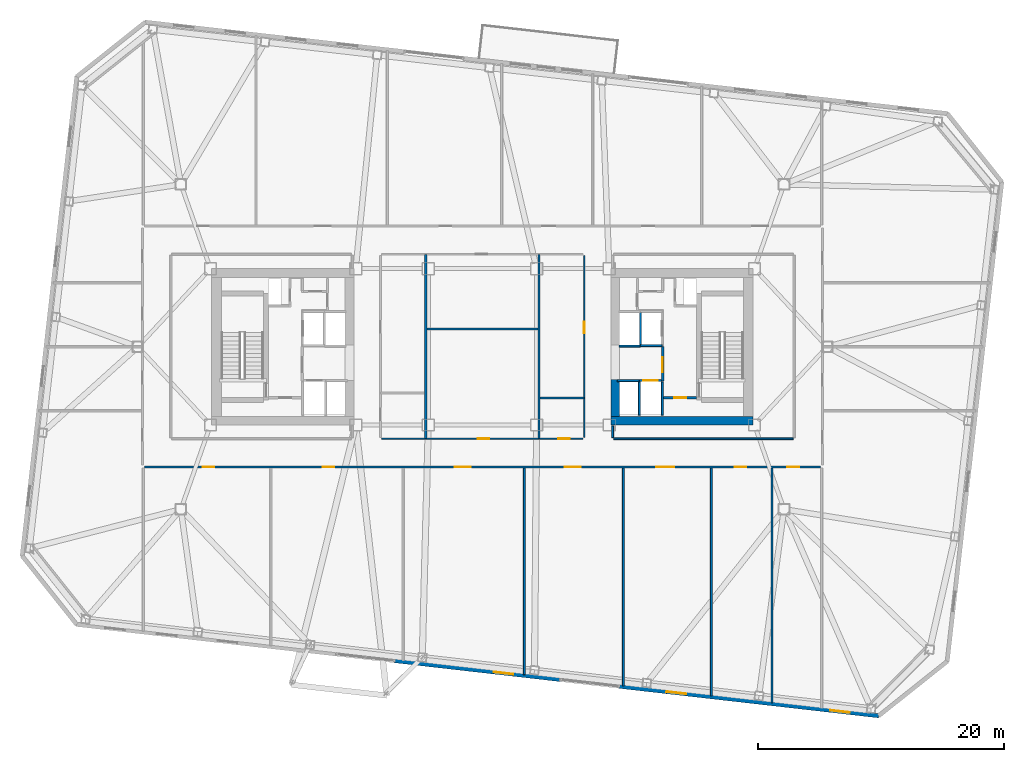
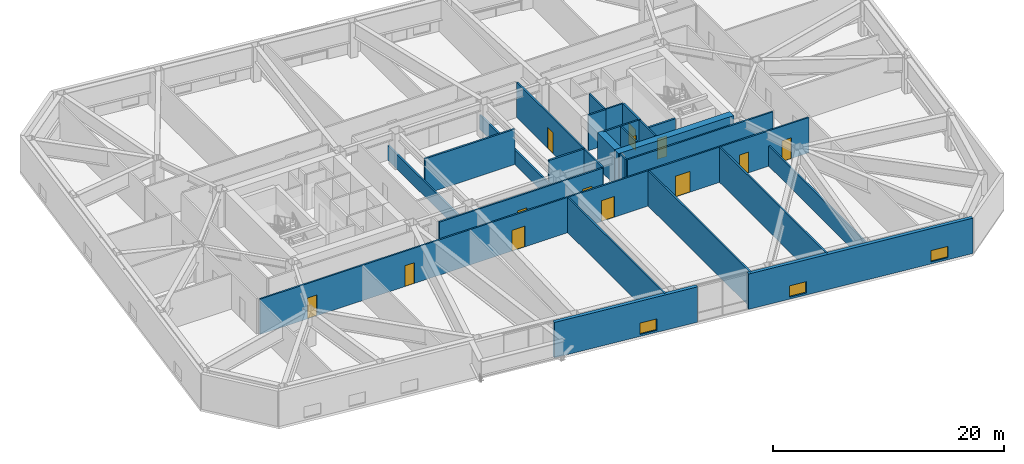
# One storey, part 12 of 21: 26 walls, 13 doors, 3 windows, 16 openings.
"""IFC4 building model written with IfcOpenShell, lengths in metres."""

from ifc_helpers import new_model, si_unit, direction, frame, frame_2d, origin, place, context, subcontext, project, spatial, rectangle, extrude, material, layer, layer_set, type_object, element, fill, save


model = new_model("IFC4")

# Units and contexts
model_context = context("Model", 3, precision=1e-05, world=origin(), true_north=direction((0.0, 1.0)))
body_context = subcontext(model_context, "Body", "Model", "MODEL_VIEW")
ifc_project = project(units=[si_unit("LENGTHUNIT", "METRE"), si_unit("AREAUNIT", "SQUARE_METRE"), si_unit("VOLUMEUNIT", "CUBIC_METRE"), si_unit("PLANEANGLEUNIT", "RADIAN"), si_unit("MASSUNIT", "GRAM", prefix="KILO")], contexts=[model_context])

# Site, building, storey
site_placement = place(None, origin())
site = spatial("IfcSite", under=ifc_project, at=site_placement, CompositionType="ELEMENT")
building_placement = place(site_placement, origin())
building = spatial("IfcBuilding", under=site, at=building_placement, Name="Tavrogorsk Clinical Tower", CompositionType="ELEMENT")
storey_placement = place(building_placement, frame((0.0, 0.0, 89.39990234375)))
storey = spatial("IfcBuildingStorey", under=building, at=storey_placement, Name="L19", CompositionType="ELEMENT", Elevation=89.39990234375)

# Wall, opening, door
ifc_material_1 = material(Name="Concrete B60", Category="concrete")
ifc_layer_1 = layer(ifc_material_1, 0.199951171875)
ifc_layer_set_1 = layer_set([ifc_layer_1], Name="Concrete B60")
wall_type_1 = type_object("IfcWallType", Name="CoreFireWall_200", PredefinedType="SOLIDWALL", material=ifc_layer_set_1)
wall_1_placement = place(storey_placement, frame((14.719970703125, -4.139892578125, 0.0), z_axis=(0.0, 0.0, 1.0), x_axis=(1.0, 0.0, 0.0)))
wall_1 = element("IfcWall", 1, at=wall_1_placement, inside=storey, type_object=wall_type_1, Name="L19 Core East South Core Room Fire Wall", PredefinedType="SOLIDWALL", context=body_context, shape_type="SweptSolid", body=[
    extrude(rectangle(XDim=2.659912109375, YDim=0.199951171875, at=frame_2d((1.330078125, 0.0))), origin(), (0.0, 0.0, 1.0), 3.739990234375),
])
opening_1_placement = place(wall_1_placement, frame((0.8798828125, 0.0, 0.0)))
opening_1 = element("IfcOpeningElement", 2, at=opening_1_placement, cuts=wall_1, Name="Opening ID-02", PredefinedType="OPENING", context=body_context, shape_type="SweptSolid", body=[
    extrude(rectangle(XDim=0.949951171875, YDim=2.199951171875, at=frame_2d((0.47509765625, 1.10009765625))), frame((0.0, 0.10986328125, 0.0), z_axis=(0.0, -1.0, 0.0), x_axis=(1.0, 0.0, 0.0)), (0.0, 0.0, 1.0), 0.219970703125),
])
ifc_material_2 = material(Name="Laminated timber leaf on aluminium frame", Category="wood")
door_type_1 = type_object("IfcDoorType", Name="InteriorDoor_ID02_950", OperationType="NOTDEFINED", PredefinedType="DOOR", material=ifc_material_2)
door_1_placement = place(opening_1_placement, origin())
door_1 = element("IfcDoor", 3, at=door_1_placement, inside=storey, type_object=door_type_1, Name="L19 Core East South Core Room Door", OperationType="SINGLE_SWING_LEFT", OverallHeight=2.199951171875, OverallWidth=0.949951171875, PredefinedType="DOOR", context=body_context, shape_type="SweptSolid", body=[
    extrude(rectangle(XDim=0.949951171875, YDim=2.199951171875, at=frame_2d((0.47509765625, 1.10009765625))), frame((0.0, 0.02490234375, 0.0), z_axis=(0.0, -1.0, 0.0), x_axis=(1.0, 0.0, 0.0)), (0.0, 0.0, 1.0), 0.050048828125),
])
fill(opening_1, door_1)

wall_2_placement = place(storey_placement, frame((14.639892578125, -2.780029296875, 0.0), z_axis=(0.0, 0.0, 1.0), x_axis=(0.0, 1.0, 0.0)))
wall_2 = element("IfcWall", 4, at=wall_2_placement, inside=storey, type_object=wall_type_1, Name="L19 Core East Firefighting Lobby Fire Wall", PredefinedType="SOLIDWALL", context=body_context, shape_type="SweptSolid", body=[
    extrude(rectangle(XDim=2.820068359375, YDim=0.199951171875, at=frame_2d((1.41015625, 0.0))), origin(), (0.0, 0.0, 1.0), 3.739990234375),
])
opening_2_placement = place(wall_2_placement, frame((0.72998046875, 0.0, 0.0)))
opening_2 = element("IfcOpeningElement", 5, at=opening_2_placement, cuts=wall_2, Name="Opening FD-01", PredefinedType="OPENING", context=body_context, shape_type="SweptSolid", body=[
    extrude(rectangle(XDim=1.199951171875, YDim=2.199951171875, at=frame_2d((0.60009765625, 1.10009765625))), frame((0.0, 0.10986328125, 0.0), z_axis=(0.0, -1.0, 0.0), x_axis=(1.0, 0.0, 0.0)), (0.0, 0.0, 1.0), 0.219970703125),
])
ifc_material_3 = material(Name="Galvanised steel fire-rated door assembly", Category="steel")
door_type_2 = type_object("IfcDoorType", Name="FireDoor_FD01_1200", OperationType="NOTDEFINED", PredefinedType="DOOR", material=ifc_material_3)
door_2_placement = place(opening_2_placement, origin())
door_2 = element("IfcDoor", 6, at=door_2_placement, inside=storey, type_object=door_type_2, Name="L19 Core East Firefighting Lobby Entry Door", OperationType="SINGLE_SWING_RIGHT", OverallHeight=2.199951171875, OverallWidth=1.199951171875, PredefinedType="DOOR", context=body_context, shape_type="SweptSolid", body=[
    extrude(rectangle(XDim=1.199951171875, YDim=2.199951171875, at=frame_2d((0.60009765625, 1.10009765625))), frame((0.0, 0.02490234375, 0.0), z_axis=(0.0, -1.0, 0.0), x_axis=(1.0, 0.0, 0.0)), (0.0, 0.0, 1.0), 0.050048828125),
])
fill(opening_2, door_2)

# Wall, openings, doors
ifc_material_4 = material(Name="Lightweight concrete blockwork B15", Category="masonry")
ifc_layer_2 = layer(ifc_material_4, 0.159912109375)
ifc_layer_set_2 = layer_set([ifc_layer_2], Name="Lightweight concrete blockwork B15")
wall_type_2 = type_object("IfcWallType", Name="PartitionWall_160", PredefinedType="PARTITIONING", material=ifc_layer_set_2)
wall_3_placement = place(storey_placement, frame((27.465087890625, -9.780029296875, 0.0), z_axis=(0.0, 0.0, 1.0), x_axis=(-1.0, 0.0, 0.0)))
wall_3 = element("IfcWall", 7, at=wall_3_placement, inside=storey, type_object=wall_type_2, Name="L19 Corridor Partition 04", PredefinedType="PARTITIONING", context=body_context, shape_type="SweptSolid", body=[
    extrude(rectangle(XDim=54.93017578125, YDim=0.159912109375, at=frame_2d((27.465087890625, 0.0))), origin(), (0.0, 0.0, 1.0), 3.739990234375),
])
opening_3_placement = place(wall_3_placement, frame((49.255859375, 0.0, 0.0)))
opening_3 = element("IfcOpeningElement", 8, at=opening_3_placement, cuts=wall_3, Name="Opening ID-02", PredefinedType="OPENING", context=body_context, shape_type="SweptSolid", body=[
    extrude(rectangle(XDim=0.949951171875, YDim=2.199951171875, at=frame_2d((0.47509765625, 1.10009765625))), frame((0.0, 0.08984375, 0.0), z_axis=(0.0, -1.0, 0.0), x_axis=(1.0, 0.0, 0.0)), (0.0, 0.0, 1.0), 0.179931640625),
])
opening_4_placement = place(wall_3_placement, frame((39.5, 0.0, 0.0)))
opening_4 = element("IfcOpeningElement", 9, at=opening_4_placement, cuts=wall_3, Name="Opening ID-02", PredefinedType="OPENING", context=body_context, shape_type="SweptSolid", body=[
    extrude(rectangle(XDim=0.949951171875, YDim=2.199951171875, at=frame_2d((0.47509765625, 1.10009765625))), frame((0.0, 0.08984375, 0.0), z_axis=(0.0, -1.0, 0.0), x_axis=(1.0, 0.0, 0.0)), (0.0, 0.0, 1.0), 0.179931640625),
])
opening_5_placement = place(wall_3_placement, frame((28.425048828125, 0.0, 0.0)))
opening_5 = element("IfcOpeningElement", 10, at=opening_5_placement, cuts=wall_3, Name="Opening ID-01", PredefinedType="OPENING", context=body_context, shape_type="SweptSolid", body=[
    extrude(rectangle(XDim=1.300048828125, YDim=2.199951171875, at=frame_2d((0.64990234375, 1.10009765625))), frame((0.0, 0.08984375, 0.0), z_axis=(0.0, -1.0, 0.0), x_axis=(1.0, 0.0, 0.0)), (0.0, 0.0, 1.0), 0.179931640625),
])
opening_6_placement = place(wall_3_placement, frame((19.47509765625, 0.0, 0.0)))
opening_6 = element("IfcOpeningElement", 11, at=opening_6_placement, cuts=wall_3, Name="Opening ID-01", PredefinedType="OPENING", context=body_context, shape_type="SweptSolid", body=[
    extrude(rectangle(XDim=1.300048828125, YDim=2.199951171875, at=frame_2d((0.64990234375, 1.10009765625))), frame((0.0, 0.08984375, 0.0), z_axis=(0.0, -1.0, 0.0), x_axis=(1.0, 0.0, 0.0)), (0.0, 0.0, 1.0), 0.179931640625),
])
opening_7_placement = place(wall_3_placement, frame((11.875, 0.0, 0.0)))
opening_7 = element("IfcOpeningElement", 12, at=opening_7_placement, cuts=wall_3, Name="Opening ID-05", PredefinedType="OPENING", context=body_context, shape_type="SweptSolid", body=[
    extrude(rectangle(XDim=1.449951171875, YDim=2.199951171875, at=frame_2d((0.72509765625, 1.10009765625))), frame((0.0, 0.08984375, 0.0), z_axis=(0.0, -1.0, 0.0), x_axis=(1.0, 0.0, 0.0)), (0.0, 0.0, 1.0), 0.179931640625),
])
opening_8_placement = place(wall_3_placement, frame((6.012451171875, 0.0, 0.0)))
opening_8 = element("IfcOpeningElement", 13, at=opening_8_placement, cuts=wall_3, Name="Opening ID-02", PredefinedType="OPENING", context=body_context, shape_type="SweptSolid", body=[
    extrude(rectangle(XDim=0.949951171875, YDim=2.199951171875, at=frame_2d((0.47509765625, 1.10009765625))), frame((0.0, 0.08984375, 0.0), z_axis=(0.0, -1.0, 0.0), x_axis=(1.0, 0.0, 0.0)), (0.0, 0.0, 1.0), 0.179931640625),
])
opening_9_placement = place(wall_3_placement, frame((1.731689453125, 0.0, 0.0)))
opening_9 = element("IfcOpeningElement", 14, at=opening_9_placement, cuts=wall_3, Name="Opening ID-02", PredefinedType="OPENING", context=body_context, shape_type="SweptSolid", body=[
    extrude(rectangle(XDim=0.949951171875, YDim=2.199951171875, at=frame_2d((0.47509765625, 1.10009765625))), frame((0.0, 0.08984375, 0.0), z_axis=(0.0, -1.0, 0.0), x_axis=(1.0, 0.0, 0.0)), (0.0, 0.0, 1.0), 0.179931640625),
])
ifc_material_5 = material(Name="Antibacterial HPL bariatric ward double door")
door_type_3 = type_object("IfcDoorType", Name="DoubleWardDoor_ID05_1450", OperationType="DOUBLE_SWING_LEFT", PredefinedType="DOOR", material=ifc_material_5)
door_3_placement = place(opening_7_placement, origin())
door_3 = element("IfcDoor", 15, at=door_3_placement, inside=storey, type_object=door_type_3, Name="L19 South Surgical Step-Down Ward 03B Door", OperationType="DOUBLE_SWING_LEFT", OverallHeight=2.199951171875, OverallWidth=1.449951171875, PredefinedType="DOOR", context=body_context, shape_type="SweptSolid", body=[
    extrude(rectangle(XDim=1.449951171875, YDim=2.199951171875, at=frame_2d((0.72509765625, 1.10009765625))), frame((0.0, 0.02490234375, 0.0), z_axis=(0.0, -1.0, 0.0), x_axis=(1.0, 0.0, 0.0)), (0.0, 0.0, 1.0), 0.050048828125),
])
fill(opening_7, door_3)
door_4_placement = place(opening_3_placement, origin())
door_4 = element("IfcDoor", 16, at=door_4_placement, inside=storey, type_object=door_type_1, Name="L19 South Cardiology Diagnostics Room 01 Door", OperationType="SINGLE_SWING_LEFT", OverallHeight=2.199951171875, OverallWidth=0.949951171875, PredefinedType="DOOR", context=body_context, shape_type="SweptSolid", body=[
    extrude(rectangle(XDim=0.949951171875, YDim=2.199951171875, at=frame_2d((0.47509765625, 1.10009765625))), frame((0.0, 0.02490234375, 0.0), z_axis=(0.0, -1.0, 0.0), x_axis=(1.0, 0.0, 0.0)), (0.0, 0.0, 1.0), 0.050048828125),
])
fill(opening_3, door_4)
door_5_placement = place(opening_4_placement, origin())
door_5 = element("IfcDoor", 17, at=door_5_placement, inside=storey, type_object=door_type_1, Name="L19 South Attending Physician Office 02A Door", OperationType="SINGLE_SWING_RIGHT", OverallHeight=2.199951171875, OverallWidth=0.949951171875, PredefinedType="DOOR", context=body_context, shape_type="SweptSolid", body=[
    extrude(rectangle(XDim=0.949951171875, YDim=2.199951171875, at=frame_2d((0.47509765625, 1.10009765625))), frame((0.0, 0.02490234375, 0.0), z_axis=(0.0, -1.0, 0.0), x_axis=(1.0, 0.0, 0.0)), (0.0, 0.0, 1.0), 0.050048828125),
])
fill(opening_4, door_5)
door_6_placement = place(opening_8_placement, origin())
door_6 = element("IfcDoor", 18, at=door_6_placement, inside=storey, type_object=door_type_1, Name="L19 South Clean Medication & Prep Room 04A Door", OperationType="SINGLE_SWING_RIGHT", OverallHeight=2.199951171875, OverallWidth=0.949951171875, PredefinedType="DOOR", context=body_context, shape_type="SweptSolid", body=[
    extrude(rectangle(XDim=0.949951171875, YDim=2.199951171875, at=frame_2d((0.47509765625, 1.10009765625))), frame((0.0, 0.02490234375, 0.0), z_axis=(0.0, -1.0, 0.0), x_axis=(1.0, 0.0, 0.0)), (0.0, 0.0, 1.0), 0.050048828125),
])
fill(opening_8, door_6)
door_7_placement = place(opening_9_placement, origin())
door_7 = element("IfcDoor", 19, at=door_7_placement, inside=storey, type_object=door_type_1, Name="L19 South Soiled Utility & Sluice Room 04B Door", OperationType="SINGLE_SWING_LEFT", OverallHeight=2.199951171875, OverallWidth=0.949951171875, PredefinedType="DOOR", context=body_context, shape_type="SweptSolid", body=[
    extrude(rectangle(XDim=0.949951171875, YDim=2.199951171875, at=frame_2d((0.47509765625, 1.10009765625))), frame((0.0, 0.02490234375, 0.0), z_axis=(0.0, -1.0, 0.0), x_axis=(1.0, 0.0, 0.0)), (0.0, 0.0, 1.0), 0.050048828125),
])
fill(opening_9, door_7)
ifc_material_6 = material(Name="Antibacterial HPL medical leaf on aluminium frame", Category="aluminium")
door_type_4 = type_object("IfcDoorType", Name="WardBedDoor_ID01_1300", OperationType="NOTDEFINED", PredefinedType="DOOR", material=ifc_material_6)
door_8_placement = place(opening_5_placement, origin())
door_8 = element("IfcDoor", 20, at=door_8_placement, inside=storey, type_object=door_type_4, Name="L19 South Bariatric Observation Ward 02B Door", OperationType="SINGLE_SWING_LEFT", OverallHeight=2.199951171875, OverallWidth=1.300048828125, PredefinedType="DOOR", context=body_context, shape_type="SweptSolid", body=[
    extrude(rectangle(XDim=1.300048828125, YDim=2.199951171875, at=frame_2d((0.64990234375, 1.10009765625))), frame((0.0, 0.02490234375, 0.0), z_axis=(0.0, -1.0, 0.0), x_axis=(1.0, 0.0, 0.0)), (0.0, 0.0, 1.0), 0.050048828125),
])
fill(opening_5, door_8)
door_9_placement = place(opening_6_placement, origin())
door_9 = element("IfcDoor", 21, at=door_9_placement, inside=storey, type_object=door_type_4, Name="L19 South Acute Medical Ward 03A Door", OperationType="SINGLE_SWING_RIGHT", OverallHeight=2.199951171875, OverallWidth=1.300048828125, PredefinedType="DOOR", context=body_context, shape_type="SweptSolid", body=[
    extrude(rectangle(XDim=1.300048828125, YDim=2.199951171875, at=frame_2d((0.64990234375, 1.10009765625))), frame((0.0, 0.02490234375, 0.0), z_axis=(0.0, -1.0, 0.0), x_axis=(1.0, 0.0, 0.0)), (0.0, 0.0, 1.0), 0.050048828125),
])
fill(opening_6, door_9)

# Walls
wall_4_placement = place(storey_placement, frame((10.580078125, -6.419921875, 0.0), z_axis=(0.0, 0.0, 1.0), x_axis=(0.0, -1.0, 0.0)))
element("IfcWall", 22, at=wall_4_placement, inside=storey, type_object=wall_type_2, Name="L19 Corridor Partition 07", PredefinedType="PARTITIONING", context=body_context, shape_type="SweptSolid", body=[
    extrude(rectangle(XDim=0.965087890625, YDim=0.159912109375, at=frame_2d((0.482421875, 0.0))), origin(), (0.0, 0.0, 1.0), 3.739990234375),
])
wall_5_placement = place(storey_placement, frame((10.6650390625, -7.469970703125, 0.0), z_axis=(0.0, 0.0, 1.0), x_axis=(1.0, 0.0, 0.0)))
element("IfcWall", 23, at=wall_5_placement, inside=storey, type_object=wall_type_2, Name="L19 Corridor Partition 08", PredefinedType="PARTITIONING", context=body_context, shape_type="SweptSolid", body=[
    extrude(rectangle(XDim=14.570068359375, YDim=0.159912109375, at=frame_2d((7.28515625, 0.0))), origin(), (0.0, 0.0, 1.0), 3.739990234375),
])

# Wall, opening, door
wall_6_placement = place(storey_placement, frame((8.27001953125, -7.385009765625, 0.0), z_axis=(0.0, 0.0, 1.0), x_axis=(0.0, 1.0, 0.0)))
wall_6 = element("IfcWall", 24, at=wall_6_placement, inside=storey, type_object=wall_type_2, Name="L19 Corridor Partition 10", PredefinedType="PARTITIONING", context=body_context, shape_type="SweptSolid", body=[
    extrude(rectangle(XDim=14.820068359375, YDim=0.159912109375, at=frame_2d((7.41015625, 0.0))), origin(), (0.0, 0.0, 1.0), 3.739990234375),
])
opening_10_placement = place(wall_6_placement, frame((8.48583984375, 0.0, 0.0)))
opening_10 = element("IfcOpeningElement", 25, at=opening_10_placement, cuts=wall_6, Name="Opening ID-02", PredefinedType="OPENING", context=body_context, shape_type="SweptSolid", body=[
    extrude(rectangle(XDim=0.949951171875, YDim=2.199951171875, at=frame_2d((0.47509765625, 1.10009765625))), frame((0.0, 0.08984375, 0.0), z_axis=(0.0, -1.0, 0.0), x_axis=(1.0, 0.0, 0.0)), (0.0, 0.0, 1.0), 0.179931640625),
])
door_10_placement = place(opening_10_placement, origin())
door_10 = element("IfcDoor", 26, at=door_10_placement, inside=storey, type_object=door_type_1, Name="L19 Attending Physician Office Door", OperationType="SINGLE_SWING_LEFT", OverallHeight=2.199951171875, OverallWidth=0.949951171875, PredefinedType="DOOR", context=body_context, shape_type="SweptSolid", body=[
    extrude(rectangle(XDim=0.949951171875, YDim=2.199951171875, at=frame_2d((0.47509765625, 1.10009765625))), frame((0.0, 0.02490234375, 0.0), z_axis=(0.0, -1.0, 0.0), x_axis=(1.0, 0.0, 0.0)), (0.0, 0.0, 1.0), 0.050048828125),
])
fill(opening_10, door_10)

# Wall, openings, doors
wall_7_placement = place(storey_placement, frame((-8.18505859375, -7.469970703125, 0.0), z_axis=(0.0, 0.0, 1.0), x_axis=(1.0, 0.0, 0.0)))
wall_7 = element("IfcWall", 27, at=wall_7_placement, inside=storey, type_object=wall_type_2, Name="L19 Corridor Partition 13", PredefinedType="PARTITIONING", context=body_context, shape_type="SweptSolid", body=[
    extrude(rectangle(XDim=16.3701171875, YDim=0.159912109375, at=frame_2d((8.18505859375, 0.0))), origin(), (0.0, 0.0, 1.0), 3.739990234375),
])
opening_11_placement = place(wall_7_placement, frame((7.794921875, 0.0, 0.0)))
opening_11 = element("IfcOpeningElement", 28, at=opening_11_placement, cuts=wall_7, Name="Opening ID-02", PredefinedType="OPENING", context=body_context, shape_type="SweptSolid", body=[
    extrude(rectangle(XDim=0.949951171875, YDim=2.199951171875, at=frame_2d((0.47509765625, 1.10009765625))), frame((0.0, 0.08984375, 0.0), z_axis=(0.0, -1.0, 0.0), x_axis=(1.0, 0.0, 0.0)), (0.0, 0.0, 1.0), 0.179931640625),
])
opening_12_placement = place(wall_7_placement, frame((14.3359375, 0.0, 0.0)))
opening_12 = element("IfcOpeningElement", 29, at=opening_12_placement, cuts=wall_7, Name="Opening ID-02", PredefinedType="OPENING", context=body_context, shape_type="SweptSolid", body=[
    extrude(rectangle(XDim=0.949951171875, YDim=2.199951171875, at=frame_2d((0.47509765625, 1.10009765625))), frame((0.0, 0.08984375, 0.0), z_axis=(0.0, -1.0, 0.0), x_axis=(1.0, 0.0, 0.0)), (0.0, 0.0, 1.0), 0.179931640625),
])
door_11_placement = place(opening_11_placement, origin())
door_11 = element("IfcDoor", 30, at=door_11_placement, inside=storey, type_object=door_type_1, Name="L19 Multidisciplinary Conference Room Door", OperationType="SINGLE_SWING_RIGHT", OverallHeight=2.199951171875, OverallWidth=0.949951171875, PredefinedType="DOOR", context=body_context, shape_type="SweptSolid", body=[
    extrude(rectangle(XDim=0.949951171875, YDim=2.199951171875, at=frame_2d((0.47509765625, 1.10009765625))), frame((0.0, 0.02490234375, 0.0), z_axis=(0.0, -1.0, 0.0), x_axis=(1.0, 0.0, 0.0)), (0.0, 0.0, 1.0), 0.050048828125),
])
fill(opening_11, door_11)
door_12_placement = place(opening_12_placement, origin())
door_12 = element("IfcDoor", 31, at=door_12_placement, inside=storey, type_object=door_type_1, Name="L19 Staff & Visitor Accessible WC Door", OperationType="SINGLE_SWING_RIGHT", OverallHeight=2.199951171875, OverallWidth=0.949951171875, PredefinedType="DOOR", context=body_context, shape_type="SweptSolid", body=[
    extrude(rectangle(XDim=0.949951171875, YDim=2.199951171875, at=frame_2d((0.47509765625, 1.10009765625))), frame((0.0, 0.02490234375, 0.0), z_axis=(0.0, -1.0, 0.0), x_axis=(1.0, 0.0, 0.0)), (0.0, 0.0, 1.0), 0.050048828125),
])
fill(opening_12, door_12)

# Walls
wall_8_placement = place(storey_placement, frame((3.39990234375, -26.6328125, 0.0), z_axis=(0.0, 0.0, 1.0), x_axis=(0.0, 1.0, 0.0)))
element("IfcWall", 32, at=wall_8_placement, inside=storey, type_object=wall_type_2, Name="L19 South Room Partition 2", PredefinedType="PARTITIONING", context=body_context, shape_type="SweptSolid", body=[
    extrude(rectangle(XDim=16.767822265625, YDim=0.159912109375, at=frame_2d((8.3837890625, 0.0))), origin(), (0.0, 0.0, 1.0), 3.739990234375),
])
wall_9_placement = place(storey_placement, frame((18.60009765625, -28.36474609375, 0.0), z_axis=(0.0, 0.0, 1.0), x_axis=(0.0, 1.0, 0.0)))
element("IfcWall", 33, at=wall_9_placement, inside=storey, type_object=wall_type_2, Name="L19 South Room Partition 3", PredefinedType="PARTITIONING", context=body_context, shape_type="SweptSolid", body=[
    extrude(rectangle(XDim=18.499755859375, YDim=0.159912109375, at=frame_2d((9.25, 0.0))), origin(), (0.0, 0.0, 1.0), 3.739990234375),
])
wall_10_placement = place(storey_placement, frame((11.449951171875, -27.550048828125, 0.0), z_axis=(0.0, 0.0, 1.0), x_axis=(0.0, 1.0, 0.0)))
element("IfcWall", 34, at=wall_10_placement, inside=storey, type_object=wall_type_2, Name="L19 South Sub-Partition 3", PredefinedType="PARTITIONING", context=body_context, shape_type="SweptSolid", body=[
    extrude(rectangle(XDim=17.68505859375, YDim=0.159912109375, at=frame_2d((8.842529296875, 0.0))), origin(), (0.0, 0.0, 1.0), 3.739990234375),
])
wall_11_placement = place(storey_placement, frame((23.52490234375, -28.92578125, 0.0), z_axis=(0.0, 0.0, 1.0), x_axis=(0.0, 1.0, 0.0)))
element("IfcWall", 35, at=wall_11_placement, inside=storey, type_object=wall_type_2, Name="L19 South Sub-Partition 4", PredefinedType="PARTITIONING", context=body_context, shape_type="SweptSolid", body=[
    extrude(rectangle(XDim=19.060791015625, YDim=0.159912109375, at=frame_2d((9.5302734375, 0.0))), origin(), (0.0, 0.0, 1.0), 2.135009765625),
])
ifc_material_7 = material(Name="Lightweight concrete blockwork B20", Category="masonry")
ifc_layer_3 = layer(ifc_material_7, 0.179931640625)
ifc_layer_set_3 = layer_set([ifc_layer_3], Name="Lightweight concrete blockwork B20")
wall_type_3 = type_object("IfcWallType", Name="PartitionWall_180", PredefinedType="PARTITIONING", material=ifc_layer_set_3)
for number, where, z_axis, x_axis, name in (
    (36, (-4.60009765625, -7.465087890625, 0.0), (0.0, 0.0, 1.0), (0.0, 1.0, 0.0), "L19 Central Spine Partition 1"),
    (37, (4.60009765625, -7.465087890625, 0.0), (0.0, 0.0, 1.0), (0.0, 1.0, 0.0), "L19 Central Spine Partition 2"),
):
    element("IfcWall", number, at=place(storey_placement, frame(where, z_axis=z_axis, x_axis=x_axis)), inside=storey, type_object=wall_type_3, Name=name, PredefinedType="PARTITIONING", context=body_context, shape_type="SweptSolid", body=[
        extrude(rectangle(XDim=14.97998046875, YDim=0.179931640625, at=frame_2d((7.489990234375, 0.0))), origin(), (0.0, 0.0, 1.0), 1.53515625),
    ])
wall_12_placement = place(storey_placement, frame((-4.5048828125, 1.449951171875, 0.0), z_axis=(0.0, 0.0, 1.0), x_axis=(1.0, 0.0, 0.0)))
element("IfcWall", 38, at=wall_12_placement, inside=storey, type_object=wall_type_3, Name="L19 Central Spine Partition 3", PredefinedType="PARTITIONING", context=body_context, shape_type="SweptSolid", body=[
    extrude(rectangle(XDim=9.009765625, YDim=0.179931640625, at=frame_2d((4.5048828125, 0.0))), origin(), (0.0, 0.0, 1.0), 3.739990234375),
])
wall_13_placement = place(storey_placement, frame((4.695068359375, -4.14990234375, 0.0), z_axis=(0.0, 0.0, 1.0), x_axis=(1.0, 0.0, 0.0)))
element("IfcWall", 39, at=wall_13_placement, inside=storey, type_object=wall_type_3, Name="L19 Central Spine Partition 5", PredefinedType="PARTITIONING", context=body_context, shape_type="SweptSolid", body=[
    extrude(rectangle(XDim=3.56982421875, YDim=0.179931640625, at=frame_2d((1.784912109375, 0.0))), origin(), (0.0, 0.0, 1.0), 3.739990234375),
])

# Wall, opening, window
ifc_material_8 = material(Name="Precast concrete B45 with limestone cladding", Category="masonry")
ifc_layer_4 = layer(ifc_material_8, 0.340087890625)
ifc_layer_set_4 = layer_set([ifc_layer_4], Name="Precast concrete B45 with limestone cladding")
wall_type_4 = type_object("IfcWallType", Name="PrecastLimestoneWall_340", PredefinedType="STANDARD", material=ifc_layer_set_4)
wall_14_placement = place(storey_placement, frame((-7.121826171875, -25.50439453125, 0.0), z_axis=(0.0, 0.0, 1.0), x_axis=(0.993571685551, -0.11320470693, 0.0)))
wall_14 = element("IfcWall", 40, at=wall_14_placement, inside=storey, type_object=wall_type_4, Name="L19 S Limestone Facade Wall 2", PredefinedType="STANDARD", context=body_context, shape_type="SweptSolid", body=[
    extrude(rectangle(XDim=13.554443359375, YDim=0.340087890625, at=frame_2d((6.77734375, 0.0))), origin(), (0.0, 0.0, 1.0), 3.739990234375),
])
opening_13_placement = place(wall_14_placement, frame((8.087890625, 0.0, 0.219970703125)))
opening_13 = element("IfcOpeningElement", 41, at=opening_13_placement, cuts=wall_14, Name="Opening WN-09", PredefinedType="OPENING", context=body_context, shape_type="SweptSolid", body=[
    extrude(rectangle(XDim=1.60009765625, YDim=1.199951171875, at=frame_2d((0.800048828125, 0.60009765625))), frame((0.0, 0.179931640625, 0.0), z_axis=(0.0, -1.0, 0.0), x_axis=(1.0, 0.0, 0.0)), (0.0, 0.0, 1.0), 0.360107421875),
])
ifc_material_9 = material(Name="Thermally broken aluminium frame and triple IGU", Category="aluminium")
window_type = type_object("IfcWindowType", Name="LowHeadTransWin_1600x1200", PartitioningType="DOUBLE_PANEL_VERTICAL", PredefinedType="WINDOW", material=ifc_material_9)
window_1_placement = place(opening_13_placement, origin())
window_1 = element("IfcWindow", 42, at=window_1_placement, inside=storey, type_object=window_type, Name="L19 S Chicago Window 06", OverallHeight=1.199951171875, OverallWidth=1.60009765625, PartitioningType="SINGLE_PANEL", PredefinedType="WINDOW", context=body_context, shape_type="SweptSolid", body=[
    extrude(rectangle(XDim=1.60009765625, YDim=1.199951171875, at=frame_2d((0.800048828125, 0.60009765625))), frame((0.0, 0.030029296875, 0.0), z_axis=(0.0, -1.0, 0.0), x_axis=(1.0, 0.0, 0.0)), (0.0, 0.0, 1.0), 0.06005859375),
])
fill(opening_13, window_1)

# Wall, openings, windows
wall_15_placement = place(storey_placement, frame((11.114501953125, -27.582275390625, 0.0), z_axis=(0.0, 0.0, 1.0), x_axis=(0.993572655904, -0.113196190044, 0.0)))
wall_15 = element("IfcWall", 43, at=wall_15_placement, inside=storey, type_object=wall_type_4, Name="L19 S Limestone Facade Wall 3", PredefinedType="STANDARD", context=body_context, shape_type="SweptSolid", body=[
    extrude(rectangle(XDim=21.222900390625, YDim=0.340087890625, at=frame_2d((10.611328125, 0.0))), origin(), (0.0, 0.0, 1.0), 3.739990234375),
])
opening_14_placement = place(wall_15_placement, frame((3.866455078125, 0.0, 0.219970703125)))
opening_14 = element("IfcOpeningElement", 44, at=opening_14_placement, cuts=wall_15, Name="Opening WN-09", PredefinedType="OPENING", context=body_context, shape_type="SweptSolid", body=[
    extrude(rectangle(XDim=1.60009765625, YDim=1.199951171875, at=frame_2d((0.800048828125, 0.60009765625))), frame((0.0, 0.179931640625, 0.0), z_axis=(0.0, -1.0, 0.0), x_axis=(1.0, 0.0, 0.0)), (0.0, 0.0, 1.0), 0.360107421875),
])
opening_15_placement = place(wall_15_placement, frame((17.264892578125, 0.0, 0.219970703125)))
opening_15 = element("IfcOpeningElement", 45, at=opening_15_placement, cuts=wall_15, Name="Opening WN-09", PredefinedType="OPENING", context=body_context, shape_type="SweptSolid", body=[
    extrude(rectangle(XDim=1.60009765625, YDim=1.199951171875, at=frame_2d((0.800048828125, 0.60009765625))), frame((0.0, 0.179931640625, 0.0), z_axis=(0.0, -1.0, 0.0), x_axis=(1.0, 0.0, 0.0)), (0.0, 0.0, 1.0), 0.360107421875),
])
window_2_placement = place(opening_14_placement, origin())
window_2 = element("IfcWindow", 46, at=window_2_placement, inside=storey, type_object=window_type, Name="L19 S Chicago Window 07", OverallHeight=1.199951171875, OverallWidth=1.60009765625, PartitioningType="SINGLE_PANEL", PredefinedType="WINDOW", context=body_context, shape_type="SweptSolid", body=[
    extrude(rectangle(XDim=1.60009765625, YDim=1.199951171875, at=frame_2d((0.800048828125, 0.60009765625))), frame((0.0, 0.030029296875, 0.0), z_axis=(0.0, -1.0, 0.0), x_axis=(1.0, 0.0, 0.0)), (0.0, 0.0, 1.0), 0.06005859375),
])
fill(opening_14, window_2)
window_3_placement = place(opening_15_placement, origin())
window_3 = element("IfcWindow", 47, at=window_3_placement, inside=storey, type_object=window_type, Name="L19 S Chicago Window 10", OverallHeight=1.199951171875, OverallWidth=1.60009765625, PartitioningType="SINGLE_PANEL", PredefinedType="WINDOW", context=body_context, shape_type="SweptSolid", body=[
    extrude(rectangle(XDim=1.60009765625, YDim=1.199951171875, at=frame_2d((0.800048828125, 0.60009765625))), frame((0.0, 0.030029296875, 0.0), z_axis=(0.0, -1.0, 0.0), x_axis=(1.0, 0.0, 0.0)), (0.0, 0.0, 1.0), 0.06005859375),
])
fill(opening_15, window_3)

# Walls
ifc_material_10 = material(Name="Lightweight concrete blockwork B25", Category="masonry")
ifc_layer_5 = layer(ifc_material_10, 0.159912109375)
ifc_layer_set_5 = layer_set([ifc_layer_5], Name="Lightweight concrete blockwork B25")
wall_type_5 = type_object("IfcWallType", Name="ShaftWall_160", PredefinedType="PARTITIONING", material=ifc_layer_set_5)
wall_16_placement = place(storey_placement, frame((12.840087890625, 0.10009765625, 0.0), z_axis=(0.0, 0.0, 1.0), x_axis=(1.0, 0.0, 0.0)))
element("IfcWall", 48, at=wall_16_placement, inside=storey, type_object=wall_type_5, Name="L19 FFL-E Shaft South Wall", PredefinedType="PARTITIONING", context=body_context, shape_type="SweptSolid", body=[
    extrude(rectangle(XDim=1.760009765625, YDim=0.159912109375, at=frame_2d((0.8798828125, 0.0))), origin(), (0.0, 0.0, 1.0), 3.739990234375),
])
wall_17_placement = place(storey_placement, frame((12.840087890625, 0.179931640625, 0.0), z_axis=(0.0, 0.0, 1.0), x_axis=(0.0, 1.0, 0.0)))
element("IfcWall", 49, at=wall_17_placement, inside=storey, type_object=wall_type_5, Name="L19 FFL-E Shaft Back Wall", PredefinedType="PARTITIONING", context=body_context, shape_type="SweptSolid", body=[
    extrude(rectangle(XDim=2.6201171875, YDim=0.159912109375, at=frame_2d((1.31005859375, 0.0))), origin(), (0.0, 0.0, 1.0), 3.739990234375),
])

# Wall, opening, door
wall_18_placement = place(storey_placement, frame((12.77001953125, -2.75, 0.0), z_axis=(0.0, 0.0, 1.0), x_axis=(1.0, 0.0, 0.0)))
wall_18 = element("IfcWall", 50, at=wall_18_placement, inside=storey, type_object=wall_type_5, Name="L19 LP-L2 Lift Shaft Portal Wall", PredefinedType="PARTITIONING", context=body_context, shape_type="SweptSolid", body=[
    extrude(rectangle(XDim=1.760009765625, YDim=0.159912109375, at=frame_2d((0.8798828125, 0.0))), origin(), (0.0, 0.0, 1.0), 3.739990234375),
])
opening_16_placement = place(wall_18_placement, frame((0.280029296875, 0.0, 0.0)))
opening_16 = element("IfcOpeningElement", 51, at=opening_16_placement, cuts=wall_18, Name="Opening LD", PredefinedType="OPENING", context=body_context, shape_type="SweptSolid", body=[
    extrude(rectangle(XDim=1.199951171875, YDim=2.199951171875, at=frame_2d((0.60009765625, 1.10009765625))), frame((0.0, 0.08984375, 0.0), z_axis=(0.0, -1.0, 0.0), x_axis=(1.0, 0.0, 0.0)), (0.0, 0.0, 1.0), 0.179931640625),
])
ifc_material_11 = material(Name="Brushed stainless steel AISI 304 sliding doors", Category="steel")
door_type_5 = type_object("IfcDoorType", Name="LiftLandingDoor_LD_1200", OperationType="SLIDING_TO_LEFT", PredefinedType="DOOR", material=ifc_material_11)
door_13_placement = place(opening_16_placement, origin())
door_13 = element("IfcDoor", 52, at=door_13_placement, inside=storey, type_object=door_type_5, Name="L19 LP-L2 Sliding Lift Landing Door", OperationType="SLIDING_TO_LEFT", OverallHeight=2.199951171875, OverallWidth=1.199951171875, PredefinedType="DOOR", context=body_context, shape_type="SweptSolid", body=[
    extrude(rectangle(XDim=1.199951171875, YDim=2.199951171875, at=frame_2d((0.60009765625, 1.10009765625))), frame((0.0, 0.02490234375, 0.0), z_axis=(0.0, -1.0, 0.0), x_axis=(1.0, 0.0, 0.0)), (0.0, 0.0, 1.0), 0.050048828125),
])
fill(opening_16, door_13)

# Walls
for number, where, z_axis, x_axis, name in (
    (53, (12.75, -5.5400390625, 0.0), (0.0, 0.0, 1.0), (0.0, 1.0, 0.0), "L19 LP-L2 Lift Hoistway Divider Wall"),
    (54, (14.610107421875, -5.5400390625, 0.0), (0.0, 0.0, 1.0), (0.0, 1.0, 0.0), "L19 LP-L2 Lift Hoistway Outer Cheek Wall"),
):
    element("IfcWall", number, at=place(storey_placement, frame(where, z_axis=z_axis, x_axis=x_axis)), inside=storey, type_object=wall_type_5, Name=name, PredefinedType="PARTITIONING", context=body_context, shape_type="SweptSolid", body=[
        extrude(rectangle(XDim=2.699951171875, YDim=0.159912109375, at=frame_2d((1.35009765625, 0.0))), origin(), (0.0, 0.0, 1.0), 3.739990234375),
    ])
wall_19_placement = place(storey_placement, frame((10.969970703125, -2.75, 0.0), z_axis=(0.0, 0.0, 1.0), x_axis=(1.0, 0.0, 0.0)))
element("IfcWall", 55, at=wall_19_placement, inside=storey, type_object=wall_type_5, Name="L19 LP-M2 Lift Shaft Portal Wall", PredefinedType="PARTITIONING", context=body_context, shape_type="SweptSolid", body=[
    extrude(rectangle(XDim=1.760009765625, YDim=0.159912109375, at=frame_2d((0.8798828125, 0.0))), origin(), (0.0, 0.0, 1.0), 3.739990234375),
])
wall_20_placement = place(storey_placement, frame((11.10009765625, 0.06005859375, 0.0), z_axis=(0.0, 0.0, 1.0), x_axis=(1.0, 0.0, 0.0)))
element("IfcWall", 56, at=wall_20_placement, inside=storey, type_object=wall_type_5, Name="L19 LP-H2 High-Zone Lift Portal Wall", PredefinedType="PARTITIONING", context=body_context, shape_type="SweptSolid", body=[
    extrude(rectangle(XDim=1.719970703125, YDim=0.159912109375, at=frame_2d((0.85986328125, 0.0))), origin(), (0.0, 0.0, 1.0), 3.739990234375),
])
ifc_material_12 = material(Name="Concrete B80", Category="concrete")
ifc_layer_6 = layer(ifc_material_12, 0.699951171875)
ifc_layer_set_6 = layer_set([ifc_layer_6], Name="Concrete B80")
wall_type_6 = type_object("IfcWallType", Name="ShearWall_700", PredefinedType="SHEAR", material=ifc_layer_set_6)
wall_21_placement = place(storey_placement, frame((10.449951171875, -6.0, 0.0), z_axis=(0.0, 0.0, 1.0), x_axis=(1.0, 0.0, 0.0)))
element("IfcWall", 57, at=wall_21_placement, inside=storey, type_object=wall_type_6, Name="L19 Core East South Shear Wall", PredefinedType="SHEAR", context=body_context, shape_type="SweptSolid", body=[
    extrude(rectangle(XDim=11.550048828125, YDim=0.699951171875, at=frame_2d((5.77490234375, 0.0))), origin(), (0.0, 0.0, 1.0), 3.739990234375),
])
wall_22_placement = place(storey_placement, frame((10.800048828125, -5.64990234375, 0.0), z_axis=(0.0, 0.0, 1.0), x_axis=(0.0, 1.0, 0.0)))
element("IfcWall", 58, at=wall_22_placement, inside=storey, type_object=wall_type_6, Name="L19 Core East Inner South Pier", PredefinedType="SHEAR", context=body_context, shape_type="SweptSolid", body=[
    extrude(rectangle(XDim=3.0, YDim=0.699951171875, at=frame_2d((1.5, 0.0))), origin(), (0.0, 0.0, 1.0), 3.739990234375),
])

save(model, "model.ifc")
